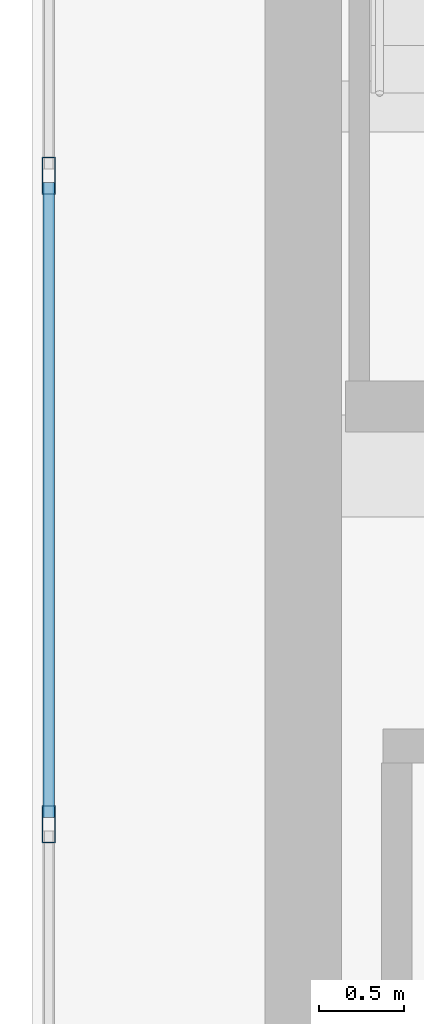
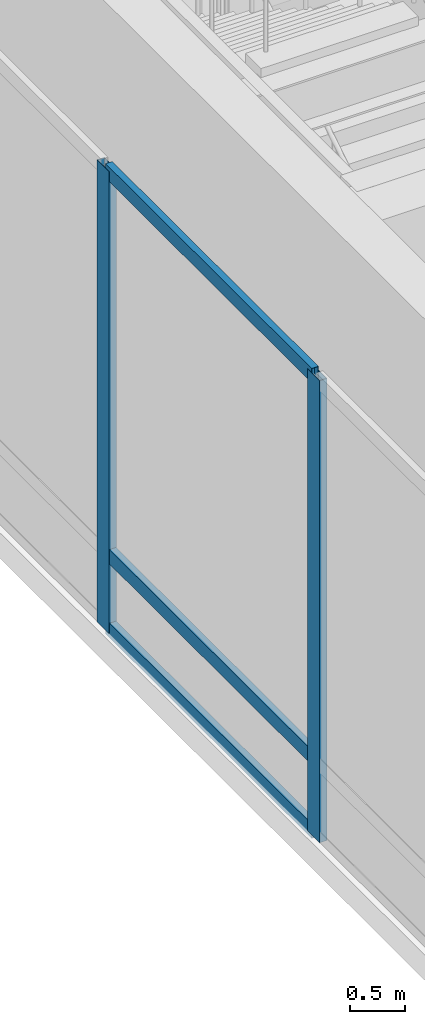
# One storey, part 9 of 30: 5 members, 1 element without a shape of its own.
"""IFC4 building model written with IfcOpenShell, lengths in metres."""

from ifc_helpers import new_model, si_unit, direction, frame, origin, origin_2d, place, context, subcontext, project, spatial, hollow_rectangle, extrude, source, transform, mapped, material, layer, layer_set, material_profile, profile_set, type_object, type_shapes, element, aggregate, save


model = new_model("IFC4")

# Units and contexts
model_context = context("Model", 3, precision=1e-05, world=origin(), true_north=direction((0.0, 1.0)))
body_context = subcontext(model_context, "Body", "Model", "MODEL_VIEW")
ifc_project = project(units=[si_unit("LENGTHUNIT", "METRE"), si_unit("AREAUNIT", "SQUARE_METRE"), si_unit("VOLUMEUNIT", "CUBIC_METRE"), si_unit("PLANEANGLEUNIT", "RADIAN"), si_unit("MASSUNIT", "GRAM", prefix="KILO")], contexts=[model_context])

# Site, building, storey
site_placement = place(None, origin())
site = spatial("IfcSite", under=ifc_project, at=site_placement, CompositionType="ELEMENT")
building_placement = place(site_placement, origin())
building = spatial("IfcBuilding", under=site, at=building_placement, Name="Haelvirn Gate Laboratories", CompositionType="ELEMENT")
storey_placement = place(building_placement, frame((0.0, 0.0, 327.0)))
storey = spatial("IfcBuildingStorey", under=building, at=storey_placement, Name="L78", CompositionType="ELEMENT", Elevation=327.0)

# Curtain wall, members
ifc_material_1 = material(Name="Anodised bronze unitised aluminium & triple low-E glass", Category="aluminium")
ifc_layer = layer(ifc_material_1, 0.19189453125, Name="CW-SYS-6")
ifc_layer_set = layer_set([ifc_layer], Name="Anodised bronze unitised aluminium & triple low-E glass")
curtain_wall_type = type_object("IfcCurtainWallType", Name="CW-SYS-6", PredefinedType="NOTDEFINED", material=ifc_layer_set)
curtain_wall_placement = place(storey_placement, origin())
curtain_wall = element("IfcCurtainWall", 1, at=curtain_wall_placement, inside=storey, type_object=curtain_wall_type, Name="L78 Unitised Curtain Wall CW-L78-P0-E17", PredefinedType="NOTDEFINED")
ifc_material_2 = material(Name="Extruded aluminium 6063-T6 (anodised bronze)", Category="aluminium")
ifc_material_profile_1 = material_profile(ifc_material_2, hollow_rectangle(XDim=0.080078125, YDim=0.219970703125, WallThickness=0.006103515625, at=origin_2d()), Name="CWM-220x80x6")
ifc_profile_set_1 = profile_set([ifc_material_profile_1], Name="Extruded aluminium 6063-T6 (anodised bronze)")
member_type_1 = type_object("IfcMemberType", Name="CWM-T220", PredefinedType="MULLION", material=ifc_profile_set_1)
shared_shape_1 = source(origin(), body_context, "Body", "SweptSolid", [
    extrude(hollow_rectangle(XDim=0.080078125, YDim=0.219970703125, WallThickness=0.006103515625, at=origin_2d()), origin(), (0.0, 0.0, 1.0), 5.1201171875),
])
type_shapes(member_type_1, [shared_shape_1])
member_1_placement = place(storey_placement, frame((5.89990234375, 26.211181640625, 0.0), z_axis=(0.0, 0.0, 1.0), x_axis=(1.0, 0.0, 0.0)))
member_1 = element("IfcMember", 2, at=member_1_placement, type_object=member_type_1, Name="CW6 mullion 5", PredefinedType="MULLION", context=body_context, shape_type="MappedRepresentation", body=[
    mapped(shared_shape_1, transform((0.0, 0.0, 0.0), scale=1.0)),
])
member_2_placement = place(storey_placement, frame((5.89990234375, 22.388916015625, 0.0), z_axis=(0.0, 0.0, 1.0), x_axis=(1.0, 0.0, 0.0)))
member_2 = element("IfcMember", 3, at=member_2_placement, type_object=member_type_1, Name="CW6 mullion 6", PredefinedType="MULLION", context=body_context, shape_type="MappedRepresentation", body=[
    mapped(shared_shape_1, transform((0.0, 0.0, 0.0), scale=1.0)),
])
ifc_material_profile_2 = material_profile(ifc_material_2, hollow_rectangle(XDim=0.070068359375, YDim=0.159912109375, WallThickness=0.0048828125, at=origin_2d()), Name="CWT-160x70x5")
ifc_profile_set_2 = profile_set([ifc_material_profile_2], Name="Extruded aluminium 6063-T6 (anodised bronze)")
member_type_2 = type_object("IfcMemberType", Name="CWT-T160", PredefinedType="USERDEFINED", material=ifc_profile_set_2)
shared_shape_2 = source(origin(), body_context, "Body", "SweptSolid", [
    extrude(hollow_rectangle(XDim=0.070068359375, YDim=0.159912109375, WallThickness=0.0048828125, at=origin_2d()), origin(), (0.0, 0.0, 1.0), 3.7421875),
])
type_shapes(member_type_2, [shared_shape_2])
member_3_placement = place(storey_placement, frame((5.89990234375, 26.171142578125, 0.034912109375), z_axis=(0.0, -1.0, 0.0), x_axis=(1.0, 0.0, 0.0)))
member_3 = element("IfcMember", 4, at=member_3_placement, type_object=member_type_2, Name="CW6 transom 5.1", ObjectType="TRANSOM", PredefinedType="USERDEFINED", context=body_context, shape_type="MappedRepresentation", body=[
    mapped(shared_shape_2, transform((0.0, 0.0, 0.0), scale=1.0)),
])
member_4_placement = place(storey_placement, frame((5.89990234375, 26.171142578125, 0.85009765625), z_axis=(0.0, -1.0, 0.0), x_axis=(1.0, 0.0, 0.0)))
member_4 = element("IfcMember", 5, at=member_4_placement, type_object=member_type_2, Name="CW6 transom 5.2", ObjectType="TRANSOM", PredefinedType="USERDEFINED", context=body_context, shape_type="MappedRepresentation", body=[
    mapped(shared_shape_2, transform((0.0, 0.0, 0.0), scale=1.0)),
])
member_5_placement = place(storey_placement, frame((5.89990234375, 26.171142578125, 5.0849609375), z_axis=(0.0, -1.0, 0.0), x_axis=(1.0, 0.0, 0.0)))
member_5 = element("IfcMember", 6, at=member_5_placement, type_object=member_type_2, Name="CW6 transom 5.3", ObjectType="TRANSOM", PredefinedType="USERDEFINED", context=body_context, shape_type="MappedRepresentation", body=[
    mapped(shared_shape_2, transform((0.0, 0.0, 0.0), scale=1.0)),
])
aggregate(curtain_wall, [member_1, member_2, member_3, member_4, member_5])

save(model, "model.ifc")
